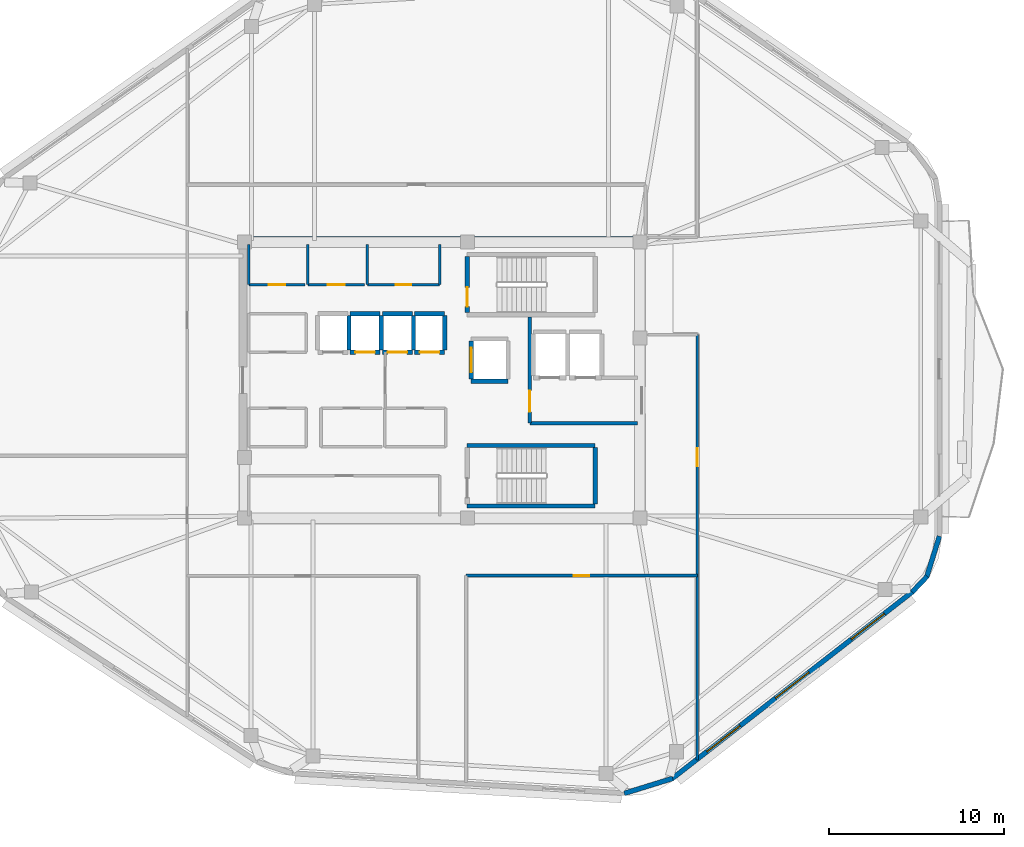
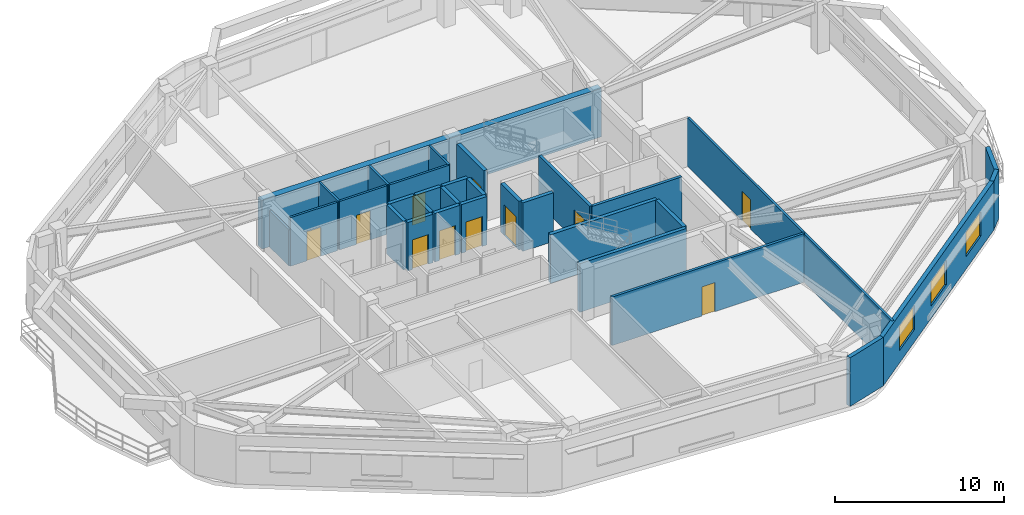
# One storey, part 4 of 9: 32 walls, 11 doors, 3 windows, 14 openings.
"""IFC4 building model written with IfcOpenShell, lengths in metres."""

from ifc_helpers import new_model, si_unit, direction, frame, frame_2d, origin, place, context, subcontext, project, spatial, rectangle, extrude, material, layer, layer_set, type_object, element, fill, save


model = new_model("IFC4")

# Units and contexts
model_context = context("Model", 3, precision=1e-05, world=origin(), true_north=direction((0.0, 1.0)))
body_context = subcontext(model_context, "Body", "Model", "MODEL_VIEW")
ifc_project = project(units=[si_unit("LENGTHUNIT", "METRE"), si_unit("AREAUNIT", "SQUARE_METRE"), si_unit("VOLUMEUNIT", "CUBIC_METRE"), si_unit("PLANEANGLEUNIT", "RADIAN"), si_unit("MASSUNIT", "GRAM", prefix="KILO")], contexts=[model_context])

# Site, building, storey
site_placement = place(None, origin())
site = spatial("IfcSite", under=ifc_project, at=site_placement, CompositionType="ELEMENT")
building_placement = place(site_placement, origin())
building = spatial("IfcBuilding", under=site, at=building_placement, Name="Zulverin Broadcast Headquarters", CompositionType="ELEMENT")
storey_placement = place(building_placement, frame((0.0, 0.0, 251.60009765625)))
storey = spatial("IfcBuildingStorey", under=building, at=storey_placement, Name="L64", CompositionType="ELEMENT", Elevation=251.60009765625)

# Wall
ifc_material_1 = material(Name="Concrete C50/60", Category="concrete")
ifc_layer_1 = layer(ifc_material_1, 0.449951171875, Name="Concrete C50/60", Category="concrete")
ifc_layer_set_1 = layer_set([ifc_layer_1], Name="Concrete C50/60")
wall_type_1 = type_object("IfcWallType", Name="WL-CORE-450", PredefinedType="SHEAR", material=ifc_layer_set_1)
wall_1_placement = place(storey_placement, frame((25.39990234375, 33.175048828125, 0.0), z_axis=(0.0, 0.0, 1.0), x_axis=(1.0, 0.0, 0.0)))
element("IfcWall", 1, at=wall_1_placement, inside=storey, type_object=wall_type_1, Name="L64 Core North Shear Wall", PredefinedType="SHEAR", context=body_context, shape_type="SweptSolid", body=[
    extrude(rectangle(XDim=23.2001953125, YDim=0.449951171875, at=frame_2d((11.60009765625, 0.0))), origin(), (0.0, 0.0, 1.0), 3.510009765625),
])

# Wall, openings, windows
ifc_material_2 = material(Name="Insulated pale-metal clad concrete spandrel C40/50", Category="concrete")
ifc_layer_2 = layer(ifc_material_2, 0.280029296875, Name="Insulated pale-metal clad concrete spandrel C40/50", Category="concrete")
ifc_layer_set_2 = layer_set([ifc_layer_2], Name="Insulated pale-metal clad concrete spandrel C40/50")
wall_type_2 = type_object("IfcWallType", Name="WL-EXT-280", PredefinedType="STANDARD", material=ifc_layer_set_2)
wall_2_placement = place(storey_placement, frame((50.10400390625, 2.458984375, 0.0), z_axis=(0.0, 0.0, 1.0), x_axis=(0.789464857485, 0.613795763097, 0.0)))
wall_2 = element("IfcWall", 2, at=wall_2_placement, inside=storey, type_object=wall_type_2, Name="L64 Pale-Metal Clad Spandrel Wall 2", PredefinedType="STANDARD", context=body_context, shape_type="SweptSolid", body=[
    extrude(rectangle(XDim=17.387451171875, YDim=0.280029296875, at=frame_2d((8.69384765625, 0.0))), origin(), (0.0, 0.0, 1.0), 3.510009765625),
])
opening_1_placement = place(wall_2_placement, frame((2.53125, 0.0, 0.89990234375)))
opening_1 = element("IfcOpeningElement", 3, at=opening_1_placement, cuts=wall_2, Name="Opening W-L64-E21", PredefinedType="OPENING", context=body_context, shape_type="SweptSolid", body=[
    extrude(rectangle(XDim=2.39990234375, YDim=1.75, at=frame_2d((1.199951171875, 0.875))), frame((0.0, 0.14990234375, 0.0), z_axis=(0.0, -1.0, 0.0), x_axis=(1.0, 0.0, 0.0)), (0.0, 0.0, 1.0), 0.300048828125),
])
opening_2_placement = place(wall_2_placement, frame((7.49365234375, 0.0, 0.89990234375)))
opening_2 = element("IfcOpeningElement", 4, at=opening_2_placement, cuts=wall_2, Name="Opening W-L64-E22", PredefinedType="OPENING", context=body_context, shape_type="SweptSolid", body=[
    extrude(rectangle(XDim=2.39990234375, YDim=1.75, at=frame_2d((1.199951171875, 0.875))), frame((0.0, 0.14990234375, 0.0), z_axis=(0.0, -1.0, 0.0), x_axis=(1.0, 0.0, 0.0)), (0.0, 0.0, 1.0), 0.300048828125),
])
opening_3_placement = place(wall_2_placement, frame((12.956298828125, 0.0, 0.89990234375)))
opening_3 = element("IfcOpeningElement", 5, at=opening_3_placement, cuts=wall_2, Name="Opening W-L64-E23", PredefinedType="OPENING", context=body_context, shape_type="SweptSolid", body=[
    extrude(rectangle(XDim=2.39990234375, YDim=1.75, at=frame_2d((1.199951171875, 0.875))), frame((0.0, 0.14990234375, 0.0), z_axis=(0.0, -1.0, 0.0), x_axis=(1.0, 0.0, 0.0)), (0.0, 0.0, 1.0), 0.300048828125),
])
ifc_material_3 = material(Name="Pale anodized aluminium frame with solar-control low-E double glazing", Category="aluminium")
window_type = type_object("IfcWindowType", Name="WIN-RIB-2400", PartitioningType="SINGLE_PANEL", PredefinedType="WINDOW", material=ifc_material_3)
window_1_placement = place(opening_1_placement, origin())
window_1 = element("IfcWindow", 6, at=window_1_placement, inside=storey, type_object=window_type, Name="L64 Ribbon Glazing Window 2 1", OverallHeight=1.75, OverallWidth=2.39990234375, PartitioningType="SINGLE_PANEL", PredefinedType="WINDOW", context=body_context, shape_type="SweptSolid", body=[
    extrude(rectangle(XDim=2.39990234375, YDim=1.75, at=frame_2d((1.199951171875, 0.875))), frame((0.0, 0.030029296875, 0.0), z_axis=(0.0, -1.0, 0.0), x_axis=(1.0, 0.0, 0.0)), (0.0, 0.0, 1.0), 0.06005859375),
])
fill(opening_1, window_1)
window_2_placement = place(opening_2_placement, origin())
window_2 = element("IfcWindow", 7, at=window_2_placement, inside=storey, type_object=window_type, Name="L64 Ribbon Glazing Window 2 2", OverallHeight=1.75, OverallWidth=2.39990234375, PartitioningType="SINGLE_PANEL", PredefinedType="WINDOW", context=body_context, shape_type="SweptSolid", body=[
    extrude(rectangle(XDim=2.39990234375, YDim=1.75, at=frame_2d((1.199951171875, 0.875))), frame((0.0, 0.030029296875, 0.0), z_axis=(0.0, -1.0, 0.0), x_axis=(1.0, 0.0, 0.0)), (0.0, 0.0, 1.0), 0.06005859375),
])
fill(opening_2, window_2)
window_3_placement = place(opening_3_placement, origin())
window_3 = element("IfcWindow", 8, at=window_3_placement, inside=storey, type_object=window_type, Name="L64 Ribbon Glazing Window 2 3", OverallHeight=1.75, OverallWidth=2.39990234375, PartitioningType="SINGLE_PANEL", PredefinedType="WINDOW", context=body_context, shape_type="SweptSolid", body=[
    extrude(rectangle(XDim=2.39990234375, YDim=1.75, at=frame_2d((1.199951171875, 0.875))), frame((0.0, 0.030029296875, 0.0), z_axis=(0.0, -1.0, 0.0), x_axis=(1.0, 0.0, 0.0)), (0.0, 0.0, 1.0), 0.06005859375),
])
fill(opening_3, window_3)

# Walls
wall_3_placement = place(storey_placement, frame((47.38623046875, 1.626220703125, 0.0), z_axis=(0.0, 0.0, 1.0), x_axis=(0.955189316149, 0.29599555793, 0.0)))
element("IfcWall", 9, at=wall_3_placement, inside=storey, type_object=wall_type_2, Name="L64 Wind-Shaped Corner Spandrel Wall 1-1", PredefinedType="STANDARD", context=body_context, shape_type="SweptSolid", body=[
    extrude(rectangle(XDim=2.891845703125, YDim=0.280029296875, at=frame_2d((1.44580078125, 0.0))), origin(), (0.0, 0.0, 1.0), 3.510009765625),
])
wall_4_placement = place(storey_placement, frame((63.81494140625, 13.1171875, 0.0), z_axis=(0.0, 0.0, 1.0), x_axis=(0.687733716128, 0.725963040176, 0.0)))
element("IfcWall", 10, at=wall_4_placement, inside=storey, type_object=wall_type_2, Name="L64 Wind-Shaped Corner Spandrel Wall 2-1", PredefinedType="STANDARD", context=body_context, shape_type="SweptSolid", body=[
    extrude(rectangle(XDim=1.239013671875, YDim=0.280029296875, at=frame_2d((0.61962890625, 0.0))), origin(), (0.0, 0.0, 1.0), 3.510009765625),
])
wall_5_placement = place(storey_placement, frame((64.635009765625, 13.962158203125, 0.0), z_axis=(0.0, 0.0, 1.0), x_axis=(0.298649578722, 0.954362839348, 0.0)))
element("IfcWall", 11, at=wall_5_placement, inside=storey, type_object=wall_type_2, Name="L64 Wind-Shaped Corner Spandrel Wall 2-2", PredefinedType="STANDARD", context=body_context, shape_type="SweptSolid", body=[
    extrude(rectangle(XDim=2.44921875, YDim=0.280029296875, at=frame_2d((1.224609375, 0.0))), origin(), (0.0, 0.0, 1.0), 3.510009765625),
])

# Wall, opening, door
ifc_material_4 = material(Name="Concrete C40/50", Category="concrete")
ifc_layer_3 = layer(ifc_material_4, 0.199951171875, Name="Concrete C40/50", Category="concrete")
ifc_layer_set_3 = layer_set([ifc_layer_3], Name="Concrete C40/50")
wall_type_3 = type_object("IfcWallType", Name="WL-FFL-200", PredefinedType="SOLIDWALL", material=ifc_layer_set_3)
wall_6_placement = place(storey_placement, frame((42.0, 22.75, 0.0), z_axis=(0.0, 0.0, 1.0), x_axis=(0.0, 1.0, 0.0)))
wall_6 = element("IfcWall", 12, at=wall_6_placement, inside=storey, type_object=wall_type_3, Name="L64 Firefighting Lift Lobby West Wall", PredefinedType="SOLIDWALL", context=body_context, shape_type="SweptSolid", body=[
    extrude(rectangle(XDim=6.050048828125, YDim=0.199951171875, at=frame_2d((3.02490234375, 0.0))), origin(), (0.0, 0.0, 1.0), 3.510009765625),
])
opening_4_placement = place(wall_6_placement, frame((0.64990234375, 0.0, 0.0)))
opening_4 = element("IfcOpeningElement", 13, at=opening_4_placement, cuts=wall_6, Name="Opening D-L64-FFLW", PredefinedType="OPENING", context=body_context, shape_type="SweptSolid", body=[
    extrude(rectangle(XDim=1.199951171875, YDim=2.14990234375, at=frame_2d((0.60009765625, 1.074951171875))), frame((0.0, 0.10986328125, 0.0), z_axis=(0.0, -1.0, 0.0), x_axis=(1.0, 0.0, 0.0)), (0.0, 0.0, 1.0), 0.219970703125),
])
ifc_material_5 = material(Name="Fire-rated steel leaf and frame", Category="steel")
door_type_1 = type_object("IfcDoorType", Name="DR-FFL-1200", OperationType="SINGLE_SWING_RIGHT", PredefinedType="DOOR", material=ifc_material_5)
door_1_placement = place(opening_4_placement, origin())
door_1 = element("IfcDoor", 14, at=door_1_placement, inside=storey, type_object=door_type_1, Name="L64 Firefighting Lift Lobby Door", OperationType="SINGLE_SWING_RIGHT", OverallHeight=2.14990234375, OverallWidth=1.199951171875, PredefinedType="DOOR", context=body_context, shape_type="SweptSolid", body=[
    extrude(rectangle(XDim=1.199951171875, YDim=2.14990234375, at=frame_2d((0.60009765625, 1.074951171875))), frame((0.0, 0.02490234375, 0.0), z_axis=(0.0, -1.0, 0.0), x_axis=(1.0, 0.0, 0.0)), (0.0, 0.0, 1.0), 0.050048828125),
])
fill(opening_4, door_1)

# Wall
wall_7_placement = place(storey_placement, frame((42.0, 22.75, 0.0), z_axis=(0.0, 0.0, 1.0), x_axis=(1.0, 0.0, 0.0)))
element("IfcWall", 15, at=wall_7_placement, inside=storey, type_object=wall_type_3, Name="L64 Firefighting Lift Lobby South Wall", PredefinedType="SOLIDWALL", context=body_context, shape_type="SweptSolid", body=[
    extrude(rectangle(XDim=6.14990234375, YDim=0.199951171875, at=frame_2d((3.074951171875, 0.0))), origin(), (0.0, 0.0, 1.0), 3.510009765625),
])

# Wall, opening, door
ifc_material_6 = material(Name="Fire-rated gypsum stud partition", Category="gypsum")
ifc_layer_4 = layer(ifc_material_6, 0.14990234375, Name="Fire-rated gypsum stud partition", Category="gypsum")
ifc_layer_set_4 = layer_set([ifc_layer_4], Name="Fire-rated gypsum stud partition")
wall_type_4 = type_object("IfcWallType", Name="WL-PART-150", PredefinedType="PARTITIONING", material=ifc_layer_set_4)
wall_8_placement = place(storey_placement, frame((25.969970703125, 30.64990234375, 0.0), z_axis=(0.0, 0.0, 1.0), x_axis=(1.0, 0.0, 0.0)))
wall_8 = element("IfcWall", 16, at=wall_8_placement, inside=storey, type_object=wall_type_4, Name="L64 Core Accessible WC Front Wall", PredefinedType="PARTITIONING", context=body_context, shape_type="SweptSolid", body=[
    extrude(rectangle(XDim=3.199951171875, YDim=0.14990234375, at=frame_2d((1.60009765625, 0.0))), origin(), (0.0, 0.0, 1.0), 3.510009765625),
])
opening_5_placement = place(wall_8_placement, frame((1.125, 0.0, 0.0)))
opening_5 = element("IfcOpeningElement", 17, at=opening_5_placement, cuts=wall_8, Name="Opening D-L64-NC1", PredefinedType="OPENING", context=body_context, shape_type="SweptSolid", body=[
    extrude(rectangle(XDim=0.949951171875, YDim=2.10009765625, at=frame_2d((0.47509765625, 1.050048828125))), frame((0.0, 0.0849609375, 0.0), z_axis=(0.0, -1.0, 0.0), x_axis=(1.0, 0.0, 0.0)), (0.0, 0.0, 1.0), 0.169921875),
])
ifc_material_7 = material(Name="Fire-rated moisture-resistant laminate leaf", Category="wood")
door_type_2 = type_object("IfcDoorType", Name="DR-WC-950", OperationType="SINGLE_SWING_LEFT", PredefinedType="DOOR", material=ifc_material_7)
door_2_placement = place(opening_5_placement, origin())
door_2 = element("IfcDoor", 18, at=door_2_placement, inside=storey, type_object=door_type_2, Name="L64 Accessible WC Door", OperationType="SINGLE_SWING_LEFT", OverallHeight=2.10009765625, OverallWidth=0.949951171875, PredefinedType="DOOR", context=body_context, shape_type="SweptSolid", body=[
    extrude(rectangle(XDim=0.949951171875, YDim=2.10009765625, at=frame_2d((0.47509765625, 1.050048828125))), frame((0.0, 0.02490234375, 0.0), z_axis=(0.0, -1.0, 0.0), x_axis=(1.0, 0.0, 0.0)), (0.0, 0.0, 1.0), 0.050048828125),
])
fill(opening_5, door_2)

# Wall
wall_9_placement = place(storey_placement, frame((25.969970703125, 30.64990234375, 0.0), z_axis=(0.0, 0.0, 1.0), x_axis=(0.0, 1.0, 0.0)))
element("IfcWall", 19, at=wall_9_placement, inside=storey, type_object=wall_type_4, Name="L64 Core Accessible WC West Wall", PredefinedType="PARTITIONING", context=body_context, shape_type="SweptSolid", body=[
    extrude(rectangle(XDim=2.300048828125, YDim=0.14990234375, at=frame_2d((1.14990234375, 0.0))), origin(), (0.0, 0.0, 1.0), 2.60986328125),
])

# Wall, opening, door
wall_10_placement = place(storey_placement, frame((29.330078125, 30.64990234375, 0.0), z_axis=(0.0, 0.0, 1.0), x_axis=(1.0, 0.0, 0.0)))
wall_10 = element("IfcWall", 20, at=wall_10_placement, inside=storey, type_object=wall_type_4, Name="L64 Core Male WC Front Wall", PredefinedType="PARTITIONING", context=body_context, shape_type="SweptSolid", body=[
    extrude(rectangle(XDim=3.239990234375, YDim=0.14990234375, at=frame_2d((1.6201171875, 0.0))), origin(), (0.0, 0.0, 1.0), 3.510009765625),
])
opening_6_placement = place(wall_10_placement, frame((1.14501953125, 0.0, 0.0)))
opening_6 = element("IfcOpeningElement", 21, at=opening_6_placement, cuts=wall_10, Name="Opening D-L64-NC2", PredefinedType="OPENING", context=body_context, shape_type="SweptSolid", body=[
    extrude(rectangle(XDim=0.949951171875, YDim=2.10009765625, at=frame_2d((0.47509765625, 1.050048828125))), frame((0.0, 0.0849609375, 0.0), z_axis=(0.0, -1.0, 0.0), x_axis=(1.0, 0.0, 0.0)), (0.0, 0.0, 1.0), 0.169921875),
])
door_3_placement = place(opening_6_placement, origin())
door_3 = element("IfcDoor", 22, at=door_3_placement, inside=storey, type_object=door_type_2, Name="L64 Male WC Door", OperationType="SINGLE_SWING_RIGHT", OverallHeight=2.10009765625, OverallWidth=0.949951171875, PredefinedType="DOOR", context=body_context, shape_type="SweptSolid", body=[
    extrude(rectangle(XDim=0.949951171875, YDim=2.10009765625, at=frame_2d((0.47509765625, 1.050048828125))), frame((0.0, 0.02490234375, 0.0), z_axis=(0.0, -1.0, 0.0), x_axis=(1.0, 0.0, 0.0)), (0.0, 0.0, 1.0), 0.050048828125),
])
fill(opening_6, door_3)

# Wall
wall_11_placement = place(storey_placement, frame((29.330078125, 30.64990234375, 0.0), z_axis=(0.0, 0.0, 1.0), x_axis=(0.0, 1.0, 0.0)))
element("IfcWall", 23, at=wall_11_placement, inside=storey, type_object=wall_type_4, Name="L64 Core Male WC West Wall", PredefinedType="PARTITIONING", context=body_context, shape_type="SweptSolid", body=[
    extrude(rectangle(XDim=2.300048828125, YDim=0.14990234375, at=frame_2d((1.14990234375, 0.0))), origin(), (0.0, 0.0, 1.0), 3.510009765625),
])

# Wall, opening, door
wall_12_placement = place(storey_placement, frame((32.72998046875, 30.64990234375, 0.0), z_axis=(0.0, 0.0, 1.0), x_axis=(1.0, 0.0, 0.0)))
wall_12 = element("IfcWall", 24, at=wall_12_placement, inside=storey, type_object=wall_type_4, Name="L64 Core Electrical Switch Riser Front Wall", PredefinedType="PARTITIONING", context=body_context, shape_type="SweptSolid", body=[
    extrude(rectangle(XDim=4.1201171875, YDim=0.14990234375, at=frame_2d((2.06005859375, 0.0))), origin(), (0.0, 0.0, 1.0), 3.510009765625),
])
opening_7_placement = place(wall_12_placement, frame((1.610107421875, 0.0, 0.0)))
opening_7 = element("IfcOpeningElement", 25, at=opening_7_placement, cuts=wall_12, Name="Opening D-L64-NC3", PredefinedType="OPENING", context=body_context, shape_type="SweptSolid", body=[
    extrude(rectangle(XDim=0.89990234375, YDim=2.10009765625, at=frame_2d((0.449951171875, 1.050048828125))), frame((0.0, 0.0849609375, 0.0), z_axis=(0.0, -1.0, 0.0), x_axis=(1.0, 0.0, 0.0)), (0.0, 0.0, 1.0), 0.169921875),
])
ifc_material_8 = material(Name="Powder-coated steel access leaf", Category="steel")
door_type_3 = type_object("IfcDoorType", Name="DR-RISER-900", OperationType="SINGLE_SWING_LEFT", PredefinedType="DOOR", material=ifc_material_8)
door_4_placement = place(opening_7_placement, origin())
door_4 = element("IfcDoor", 26, at=door_4_placement, inside=storey, type_object=door_type_3, Name="L64 Electrical Switch Riser Door", OperationType="SINGLE_SWING_LEFT", OverallHeight=2.10009765625, OverallWidth=0.89990234375, PredefinedType="DOOR", context=body_context, shape_type="SweptSolid", body=[
    extrude(rectangle(XDim=0.89990234375, YDim=2.10009765625, at=frame_2d((0.449951171875, 1.050048828125))), frame((0.0, 0.02490234375, 0.0), z_axis=(0.0, -1.0, 0.0), x_axis=(1.0, 0.0, 0.0)), (0.0, 0.0, 1.0), 0.050048828125),
])
fill(opening_7, door_4)

# Walls
for number, where, z_axis, x_axis, name in (
    (27, (32.72998046875, 30.64990234375, 0.0), (0.0, 0.0, 1.0), (0.0, 1.0, 0.0), "L64 Core Electrical Switch Riser West Wall"),
    (28, (36.85009765625, 30.64990234375, 0.0), (0.0, 0.0, 1.0), (0.0, 1.0, 0.0), "L64 Core Electrical Switch Riser East Wall"),
):
    element("IfcWall", number, at=place(storey_placement, frame(where, z_axis=z_axis, x_axis=x_axis)), inside=storey, type_object=wall_type_4, Name=name, PredefinedType="PARTITIONING", context=body_context, shape_type="SweptSolid", body=[
        extrude(rectangle(XDim=2.300048828125, YDim=0.14990234375, at=frame_2d((1.14990234375, 0.0))), origin(), (0.0, 0.0, 1.0), 3.510009765625),
    ])

# Wall, opening, door
wall_13_placement = place(storey_placement, frame((51.550048828125, 3.5458984375, 0.0), z_axis=(0.0, 0.0, 1.0), x_axis=(0.0, 1.0, 0.0)))
wall_13 = element("IfcWall", 29, at=wall_13_placement, inside=storey, type_object=wall_type_4, Name="L64 Gallery Partition Wall CG-01", PredefinedType="PARTITIONING", context=body_context, shape_type="SweptSolid", body=[
    extrude(rectangle(XDim=24.254150390625, YDim=0.14990234375, at=frame_2d((12.126953125, 0.0))), origin(), (0.0, 0.0, 1.0), 3.510009765625),
])
opening_8_placement = place(wall_13_placement, frame((16.759033203125, 0.0, 0.0)))
opening_8 = element("IfcOpeningElement", 30, at=opening_8_placement, cuts=wall_13, Name="Opening D-L64-06", PredefinedType="OPENING", context=body_context, shape_type="SweptSolid", body=[
    extrude(rectangle(XDim=1.0, YDim=2.1201171875, at=frame_2d((0.5, 1.06005859375))), frame((0.0, 0.0849609375, 0.0), z_axis=(0.0, -1.0, 0.0), x_axis=(1.0, 0.0, 0.0)), (0.0, 0.0, 1.0), 0.169921875),
])
ifc_material_9 = material(Name="Hardwood veneer acoustic leaf", Category="wood")
door_type_4 = type_object("IfcDoorType", Name="DR-OFF-1000", OperationType="SINGLE_SWING_LEFT", PredefinedType="DOOR", material=ifc_material_9)
door_5_placement = place(opening_8_placement, origin())
door_5 = element("IfcDoor", 31, at=door_5_placement, inside=storey, type_object=door_type_4, Name="L64 Global Broadcast Command Workplace Door", OperationType="SINGLE_SWING_LEFT", OverallHeight=2.1201171875, OverallWidth=1.0, PredefinedType="DOOR", context=body_context, shape_type="SweptSolid", body=[
    extrude(rectangle(XDim=1.0, YDim=2.1201171875, at=frame_2d((0.5, 1.06005859375))), frame((0.0, 0.02490234375, 0.0), z_axis=(0.0, -1.0, 0.0), x_axis=(1.0, 0.0, 0.0)), (0.0, 0.0, 1.0), 0.050048828125),
])
fill(opening_8, door_5)

ifc_material_10 = material(Name="Fire-rated acoustic stud wall", Category="gypsum")
ifc_layer_5 = layer(ifc_material_10, 0.175048828125, Name="Fire-rated acoustic stud wall", Category="gypsum")
ifc_layer_set_5 = layer_set([ifc_layer_5], Name="Fire-rated acoustic stud wall")
wall_type_5 = type_object("IfcWallType", Name="WL-PART-175", PredefinedType="PARTITIONING", material=ifc_layer_set_5)
wall_14_placement = place(storey_placement, frame((38.35009765625, 14.050048828125, 0.0), z_axis=(0.0, 0.0, 1.0), x_axis=(1.0, 0.0, 0.0)))
wall_14 = element("IfcWall", 32, at=wall_14_placement, inside=storey, type_object=wall_type_5, Name="L64 Gallery Partition Wall CG-08", PredefinedType="PARTITIONING", context=body_context, shape_type="SweptSolid", body=[
    extrude(rectangle(XDim=13.199951171875, YDim=0.175048828125, at=frame_2d((6.60009765625, 0.0))), origin(), (0.0, 0.0, 1.0), 3.510009765625),
])
opening_9_placement = place(wall_14_placement, frame((6.14990234375, 0.0, 0.0)))
opening_9 = element("IfcOpeningElement", 33, at=opening_9_placement, cuts=wall_14, Name="Opening D-L64-03", PredefinedType="OPENING", context=body_context, shape_type="SweptSolid", body=[
    extrude(rectangle(XDim=0.89990234375, YDim=2.10009765625, at=frame_2d((0.449951171875, 1.050048828125))), frame((0.0, 0.097412109375, 0.0), z_axis=(0.0, -1.0, 0.0), x_axis=(1.0, 0.0, 0.0)), (0.0, 0.0, 1.0), 0.195068359375),
])
ifc_material_11 = material(Name="Fire-rated hardwood veneer timber leaf", Category="wood")
door_type_5 = type_object("IfcDoorType", Name="DR-ROOM-900", OperationType="SINGLE_SWING_RIGHT", PredefinedType="DOOR", material=ifc_material_11)
door_6_placement = place(opening_9_placement, origin())
door_6 = element("IfcDoor", 34, at=door_6_placement, inside=storey, type_object=door_type_5, Name="L64 Diplomatic Conference Room Door", OperationType="SINGLE_SWING_RIGHT", OverallHeight=2.10009765625, OverallWidth=0.89990234375, PredefinedType="DOOR", context=body_context, shape_type="SweptSolid", body=[
    extrude(rectangle(XDim=0.89990234375, YDim=2.10009765625, at=frame_2d((0.449951171875, 1.050048828125))), frame((0.0, 0.02490234375, 0.0), z_axis=(0.0, -1.0, 0.0), x_axis=(1.0, 0.0, 0.0)), (0.0, 0.0, 1.0), 0.050048828125),
])
fill(opening_9, door_6)

ifc_layer_6 = layer(ifc_material_1, 0.25, Name="Concrete C50/60", Category="concrete")
ifc_layer_set_6 = layer_set([ifc_layer_6], Name="Concrete C50/60")
wall_type_6 = type_object("IfcWallType", Name="WL-SHAFT-250", PredefinedType="SHEAR", material=ifc_layer_set_6)
wall_15_placement = place(storey_placement, frame((38.425048828125, 29.050048828125, 0.0), z_axis=(0.0, 0.0, 1.0), x_axis=(0.0, 1.0, 0.0)))
wall_15 = element("IfcWall", 35, at=wall_15_placement, inside=storey, type_object=wall_type_6, Name="L64 ST-1 Enclosure Wall W", PredefinedType="SHEAR", context=body_context, shape_type="SweptSolid", body=[
    extrude(rectangle(XDim=3.199951171875, YDim=0.25, at=frame_2d((1.60009765625, 0.0))), origin(), (0.0, 0.0, 1.0), 3.510009765625),
])
opening_10_placement = place(wall_15_placement, frame((0.35009765625, 0.0, 0.0)))
opening_10 = element("IfcOpeningElement", 36, at=opening_10_placement, cuts=wall_15, Name="Opening D-L64-ST-1", PredefinedType="OPENING", context=body_context, shape_type="SweptSolid", body=[
    extrude(rectangle(XDim=1.10009765625, YDim=2.14990234375, at=frame_2d((0.550048828125, 1.074951171875))), frame((0.0, 0.135009765625, 0.0), z_axis=(0.0, -1.0, 0.0), x_axis=(1.0, 0.0, 0.0)), (0.0, 0.0, 1.0), 0.27001953125),
])
door_type_6 = type_object("IfcDoorType", Name="DR-STAIR-1100", OperationType="SINGLE_SWING_LEFT", PredefinedType="DOOR", material=ifc_material_5)
door_7_placement = place(opening_10_placement, origin())
door_7 = element("IfcDoor", 37, at=door_7_placement, inside=storey, type_object=door_type_6, Name="L64 Exit Stair ST-1 Fire Door", OperationType="SINGLE_SWING_LEFT", OverallHeight=2.14990234375, OverallWidth=1.10009765625, PredefinedType="DOOR", context=body_context, shape_type="SweptSolid", body=[
    extrude(rectangle(XDim=1.10009765625, YDim=2.14990234375, at=frame_2d((0.550048828125, 1.074951171875))), frame((0.0, 0.02490234375, 0.0), z_axis=(0.0, -1.0, 0.0), x_axis=(1.0, 0.0, 0.0)), (0.0, 0.0, 1.0), 0.050048828125),
])
fill(opening_10, door_7)

# Walls
for number, where, z_axis, x_axis, name in (
    (38, (38.425048828125, 18.02490234375, 0.0), (0.0, 0.0, 1.0), (1.0, 0.0, 0.0), "L64 ST-2 Enclosure Wall S"),
    (39, (38.425048828125, 21.47509765625, 0.0), (0.0, 0.0, 1.0), (1.0, 0.0, 0.0), "L64 ST-2 Enclosure Wall N"),
):
    element("IfcWall", number, at=place(storey_placement, frame(where, z_axis=z_axis, x_axis=x_axis)), inside=storey, type_object=wall_type_6, Name=name, PredefinedType="SHEAR", context=body_context, shape_type="SweptSolid", body=[
        extrude(rectangle(XDim=7.300048828125, YDim=0.25, at=frame_2d((3.64990234375, 0.0))), origin(), (0.0, 0.0, 1.0), 3.510009765625),
    ])
wall_16_placement = place(storey_placement, frame((45.72509765625, 18.14990234375, 0.0), z_axis=(0.0, 0.0, 1.0), x_axis=(0.0, 1.0, 0.0)))
element("IfcWall", 40, at=wall_16_placement, inside=storey, type_object=wall_type_6, Name="L64 ST-2 Enclosure Wall E", PredefinedType="SHEAR", context=body_context, shape_type="SweptSolid", body=[
    extrude(rectangle(XDim=3.2001953125, YDim=0.25, at=frame_2d((1.60009765625, 0.0))), origin(), (0.0, 0.0, 1.0), 3.510009765625),
])
wall_17_placement = place(storey_placement, frame((31.679931640625, 26.919921875, 0.0), z_axis=(0.0, 0.0, 1.0), x_axis=(0.0, 1.0, 0.0)))
element("IfcWall", 41, at=wall_17_placement, inside=storey, type_object=wall_type_6, Name="L64 Lift PL-H1 Shaft Wall E", PredefinedType="SHEAR", context=body_context, shape_type="SweptSolid", body=[
    extrude(rectangle(XDim=1.9599609375, YDim=0.25, at=frame_2d((0.97998046875, 0.0))), origin(), (0.0, 0.0, 1.0), 3.510009765625),
])

# Wall, opening, door
wall_18_placement = place(storey_placement, frame((31.739990234375, 26.800048828125, 0.0), z_axis=(0.0, 0.0, 1.0), x_axis=(1.0, 0.0, 0.0)))
wall_18 = element("IfcWall", 42, at=wall_18_placement, inside=storey, type_object=wall_type_6, Name="L64 Lift PL-H2 Shaft Wall S", PredefinedType="SHEAR", context=body_context, shape_type="SweptSolid", body=[
    extrude(rectangle(XDim=1.719970703125, YDim=0.25, at=frame_2d((0.85986328125, 0.0))), origin(), (0.0, 0.0, 1.0), 3.510009765625),
])
opening_11_placement = place(wall_18_placement, frame((0.31005859375, 0.0, 0.0)))
opening_11 = element("IfcOpeningElement", 43, at=opening_11_placement, cuts=wall_18, Name="Opening LD-PL-H2-L64", PredefinedType="OPENING", context=body_context, shape_type="SweptSolid", body=[
    extrude(rectangle(XDim=1.10009765625, YDim=2.14990234375, at=frame_2d((0.550048828125, 1.074951171875))), frame((0.0, 0.135009765625, 0.0), z_axis=(0.0, -1.0, 0.0), x_axis=(1.0, 0.0, 0.0)), (0.0, 0.0, 1.0), 0.27001953125),
])
ifc_material_12 = material(Name="Brushed stainless steel landing", Category="steel")
door_type_7 = type_object("IfcDoorType", Name="LD-PASS-1100", OperationType="DOUBLE_DOOR_SLIDING", PredefinedType="DOOR", material=ifc_material_12)
door_8_placement = place(opening_11_placement, origin())
door_8 = element("IfcDoor", 44, at=door_8_placement, inside=storey, type_object=door_type_7, Name="L64 Lift PL-H2 Sliding Landing Door", OperationType="DOUBLE_DOOR_SLIDING", OverallHeight=2.14990234375, OverallWidth=1.10009765625, PredefinedType="DOOR", context=body_context, shape_type="SweptSolid", body=[
    extrude(rectangle(XDim=1.10009765625, YDim=2.14990234375, at=frame_2d((0.550048828125, 1.074951171875))), frame((0.0, 0.02490234375, 0.0), z_axis=(0.0, -1.0, 0.0), x_axis=(1.0, 0.0, 0.0)), (0.0, 0.0, 1.0), 0.050048828125),
])
fill(opening_11, door_8)

# Walls
wall_19_placement = place(storey_placement, frame((31.739990234375, 29.0, 0.0), z_axis=(0.0, 0.0, 1.0), x_axis=(1.0, 0.0, 0.0)))
element("IfcWall", 45, at=wall_19_placement, inside=storey, type_object=wall_type_6, Name="L64 Lift PL-H2 Shaft Wall N", PredefinedType="SHEAR", context=body_context, shape_type="SweptSolid", body=[
    extrude(rectangle(XDim=1.719970703125, YDim=0.25, at=frame_2d((0.85986328125, 0.0))), origin(), (0.0, 0.0, 1.0), 3.510009765625),
])
wall_20_placement = place(storey_placement, frame((33.52001953125, 26.919921875, 0.0), z_axis=(0.0, 0.0, 1.0), x_axis=(0.0, 1.0, 0.0)))
element("IfcWall", 46, at=wall_20_placement, inside=storey, type_object=wall_type_6, Name="L64 Lift PL-H2 Shaft Wall E", PredefinedType="SHEAR", context=body_context, shape_type="SweptSolid", body=[
    extrude(rectangle(XDim=1.9599609375, YDim=0.25, at=frame_2d((0.97998046875, 0.0))), origin(), (0.0, 0.0, 1.0), 3.510009765625),
])

# Wall, opening, door
wall_21_placement = place(storey_placement, frame((33.580078125, 26.800048828125, 0.0), z_axis=(0.0, 0.0, 1.0), x_axis=(1.0, 0.0, 0.0)))
wall_21 = element("IfcWall", 47, at=wall_21_placement, inside=storey, type_object=wall_type_6, Name="L64 Lift PL-H3 Shaft Wall S", PredefinedType="SHEAR", context=body_context, shape_type="SweptSolid", body=[
    extrude(rectangle(XDim=1.719970703125, YDim=0.25, at=frame_2d((0.85986328125, 0.0))), origin(), (0.0, 0.0, 1.0), 3.510009765625),
])
opening_12_placement = place(wall_21_placement, frame((0.31005859375, 0.0, 0.0)))
opening_12 = element("IfcOpeningElement", 48, at=opening_12_placement, cuts=wall_21, Name="Opening LD-PL-H3-L64", PredefinedType="OPENING", context=body_context, shape_type="SweptSolid", body=[
    extrude(rectangle(XDim=1.10009765625, YDim=2.14990234375, at=frame_2d((0.550048828125, 1.074951171875))), frame((0.0, 0.135009765625, 0.0), z_axis=(0.0, -1.0, 0.0), x_axis=(1.0, 0.0, 0.0)), (0.0, 0.0, 1.0), 0.27001953125),
])
door_9_placement = place(opening_12_placement, origin())
door_9 = element("IfcDoor", 49, at=door_9_placement, inside=storey, type_object=door_type_7, Name="L64 Lift PL-H3 Sliding Landing Door", OperationType="DOUBLE_DOOR_SLIDING", OverallHeight=2.14990234375, OverallWidth=1.10009765625, PredefinedType="DOOR", context=body_context, shape_type="SweptSolid", body=[
    extrude(rectangle(XDim=1.10009765625, YDim=2.14990234375, at=frame_2d((0.550048828125, 1.074951171875))), frame((0.0, 0.02490234375, 0.0), z_axis=(0.0, -1.0, 0.0), x_axis=(1.0, 0.0, 0.0)), (0.0, 0.0, 1.0), 0.050048828125),
])
fill(opening_12, door_9)

# Walls
wall_22_placement = place(storey_placement, frame((33.580078125, 29.0, 0.0), z_axis=(0.0, 0.0, 1.0), x_axis=(1.0, 0.0, 0.0)))
element("IfcWall", 50, at=wall_22_placement, inside=storey, type_object=wall_type_6, Name="L64 Lift PL-H3 Shaft Wall N", PredefinedType="SHEAR", context=body_context, shape_type="SweptSolid", body=[
    extrude(rectangle(XDim=1.719970703125, YDim=0.25, at=frame_2d((0.85986328125, 0.0))), origin(), (0.0, 0.0, 1.0), 3.510009765625),
])
wall_23_placement = place(storey_placement, frame((35.360107421875, 26.919921875, 0.0), z_axis=(0.0, 0.0, 1.0), x_axis=(0.0, 1.0, 0.0)))
element("IfcWall", 51, at=wall_23_placement, inside=storey, type_object=wall_type_6, Name="L64 Lift PL-H3 Shaft Wall E", PredefinedType="SHEAR", context=body_context, shape_type="SweptSolid", body=[
    extrude(rectangle(XDim=1.9599609375, YDim=0.25, at=frame_2d((0.97998046875, 0.0))), origin(), (0.0, 0.0, 1.0), 3.510009765625),
])

# Wall, opening, door
wall_24_placement = place(storey_placement, frame((35.419921875, 26.800048828125, 0.0), z_axis=(0.0, 0.0, 1.0), x_axis=(1.0, 0.0, 0.0)))
wall_24 = element("IfcWall", 52, at=wall_24_placement, inside=storey, type_object=wall_type_6, Name="L64 Lift PL-H4 Shaft Wall S", PredefinedType="SHEAR", context=body_context, shape_type="SweptSolid", body=[
    extrude(rectangle(XDim=1.719970703125, YDim=0.25, at=frame_2d((0.85986328125, 0.0))), origin(), (0.0, 0.0, 1.0), 3.510009765625),
])
opening_13_placement = place(wall_24_placement, frame((0.31005859375, 0.0, 0.0)))
opening_13 = element("IfcOpeningElement", 53, at=opening_13_placement, cuts=wall_24, Name="Opening LD-PL-H4-L64", PredefinedType="OPENING", context=body_context, shape_type="SweptSolid", body=[
    extrude(rectangle(XDim=1.10009765625, YDim=2.14990234375, at=frame_2d((0.550048828125, 1.074951171875))), frame((0.0, 0.135009765625, 0.0), z_axis=(0.0, -1.0, 0.0), x_axis=(1.0, 0.0, 0.0)), (0.0, 0.0, 1.0), 0.27001953125),
])
door_10_placement = place(opening_13_placement, origin())
door_10 = element("IfcDoor", 54, at=door_10_placement, inside=storey, type_object=door_type_7, Name="L64 Lift PL-H4 Sliding Landing Door", OperationType="DOUBLE_DOOR_SLIDING", OverallHeight=2.14990234375, OverallWidth=1.10009765625, PredefinedType="DOOR", context=body_context, shape_type="SweptSolid", body=[
    extrude(rectangle(XDim=1.10009765625, YDim=2.14990234375, at=frame_2d((0.550048828125, 1.074951171875))), frame((0.0, 0.02490234375, 0.0), z_axis=(0.0, -1.0, 0.0), x_axis=(1.0, 0.0, 0.0)), (0.0, 0.0, 1.0), 0.050048828125),
])
fill(opening_13, door_10)

# Walls
wall_25_placement = place(storey_placement, frame((35.419921875, 29.0, 0.0), z_axis=(0.0, 0.0, 1.0), x_axis=(1.0, 0.0, 0.0)))
element("IfcWall", 55, at=wall_25_placement, inside=storey, type_object=wall_type_6, Name="L64 Lift PL-H4 Shaft Wall N", PredefinedType="SHEAR", context=body_context, shape_type="SweptSolid", body=[
    extrude(rectangle(XDim=1.719970703125, YDim=0.25, at=frame_2d((0.85986328125, 0.0))), origin(), (0.0, 0.0, 1.0), 3.510009765625),
])
wall_26_placement = place(storey_placement, frame((37.139892578125, 26.919921875, 0.0), z_axis=(0.0, 0.0, 1.0), x_axis=(0.0, 1.0, 0.0)))
element("IfcWall", 56, at=wall_26_placement, inside=storey, type_object=wall_type_6, Name="L64 Lift PL-H4 Shaft Wall E", PredefinedType="SHEAR", context=body_context, shape_type="SweptSolid", body=[
    extrude(rectangle(XDim=1.9599609375, YDim=0.25, at=frame_2d((0.97998046875, 0.0))), origin(), (0.0, 0.0, 1.0), 3.510009765625),
])
wall_27_placement = place(storey_placement, frame((38.64990234375, 25.14990234375, 0.0), z_axis=(0.0, 0.0, 1.0), x_axis=(1.0, 0.0, 0.0)))
element("IfcWall", 57, at=wall_27_placement, inside=storey, type_object=wall_type_6, Name="L64 Lift SVL-1 Shaft Wall S", PredefinedType="SHEAR", context=body_context, shape_type="SweptSolid", body=[
    extrude(rectangle(XDim=2.10009765625, YDim=0.25, at=frame_2d((1.050048828125, 0.0))), origin(), (0.0, 0.0, 1.0), 3.510009765625),
])

# Wall, opening, door
wall_28_placement = place(storey_placement, frame((38.64990234375, 25.27001953125, 0.0), z_axis=(0.0, 0.0, 1.0), x_axis=(0.0, 1.0, 0.0)))
wall_28 = element("IfcWall", 58, at=wall_28_placement, inside=storey, type_object=wall_type_6, Name="L64 Lift SVL-1 Shaft Wall W", PredefinedType="SHEAR", context=body_context, shape_type="SweptSolid", body=[
    extrude(rectangle(XDim=2.159912109375, YDim=0.25, at=frame_2d((1.080078125, 0.0))), origin(), (0.0, 0.0, 1.0), 3.510009765625),
])
opening_14_placement = place(wall_28_placement, frame((0.3798828125, 0.0, 0.0)))
opening_14 = element("IfcOpeningElement", 59, at=opening_14_placement, cuts=wall_28, Name="Opening LD-SVL-1-L64", PredefinedType="OPENING", context=body_context, shape_type="SweptSolid", body=[
    extrude(rectangle(XDim=1.39990234375, YDim=2.199951171875, at=frame_2d((0.699951171875, 1.10009765625))), frame((0.0, 0.135009765625, 0.0), z_axis=(0.0, -1.0, 0.0), x_axis=(1.0, 0.0, 0.0)), (0.0, 0.0, 1.0), 0.27001953125),
])
ifc_material_13 = material(Name="Heavy-duty stainless landing door", Category="steel")
door_type_8 = type_object("IfcDoorType", Name="LD-GOODS-1400", OperationType="DOUBLE_DOOR_SLIDING", PredefinedType="DOOR", material=ifc_material_13)
door_11_placement = place(opening_14_placement, origin())
door_11 = element("IfcDoor", 60, at=door_11_placement, inside=storey, type_object=door_type_8, Name="L64 Lift SVL-1 Sliding Landing Door", OperationType="DOUBLE_DOOR_SLIDING", OverallHeight=2.199951171875, OverallWidth=1.39990234375, PredefinedType="DOOR", context=body_context, shape_type="SweptSolid", body=[
    extrude(rectangle(XDim=1.39990234375, YDim=2.199951171875, at=frame_2d((0.699951171875, 1.10009765625))), frame((0.0, 0.02490234375, 0.0), z_axis=(0.0, -1.0, 0.0), x_axis=(1.0, 0.0, 0.0)), (0.0, 0.0, 1.0), 0.050048828125),
])
fill(opening_14, door_11)

save(model, "model.ifc")
